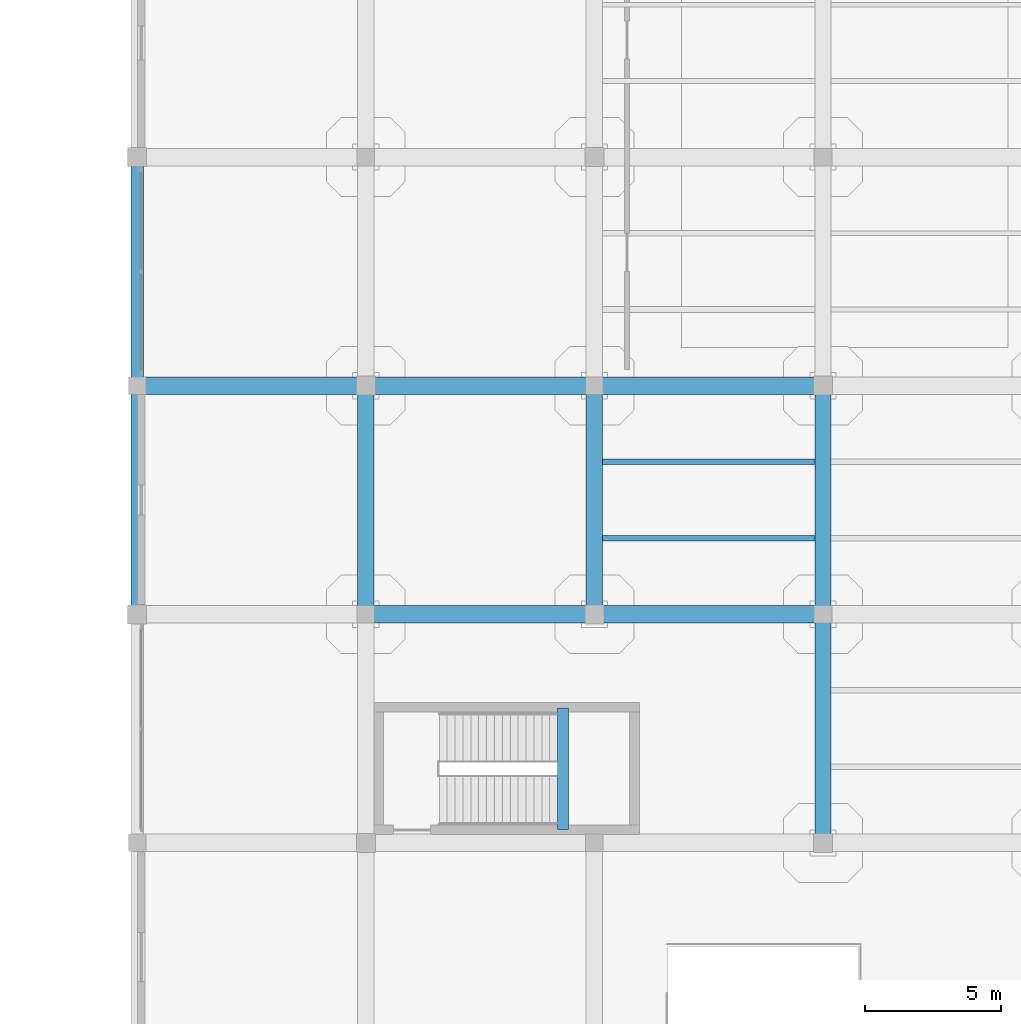
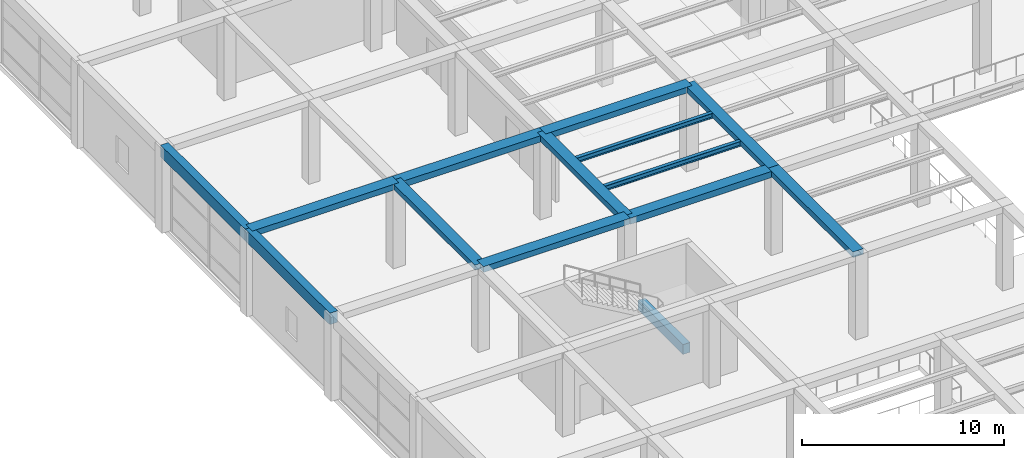
# One storey, part 18 of 65: 14 beams.
"""IFC4 building model written with IfcOpenShell, lengths in metres."""

from ifc_helpers import new_model, si_unit, direction, frame, origin, origin_2d, place, context, subcontext, project, spatial, rectangle, i_section, extrude, material, material_profile, profile_set, type_object, element, save


model = new_model("IFC4")

# Units and contexts
model_context = context("Model", 3, precision=1e-05, world=origin(), true_north=direction((0.0, 1.0)))
body_context = subcontext(model_context, "Body", "Model", "MODEL_VIEW")
ifc_project = project(units=[si_unit("LENGTHUNIT", "METRE"), si_unit("AREAUNIT", "SQUARE_METRE"), si_unit("VOLUMEUNIT", "CUBIC_METRE"), si_unit("PLANEANGLEUNIT", "RADIAN"), si_unit("MASSUNIT", "GRAM", prefix="KILO")], contexts=[model_context])

# Site, building, storey
site_placement = place(None, origin())
site = spatial("IfcSite", under=ifc_project, at=site_placement, CompositionType="ELEMENT")
building_placement = place(site_placement, origin())
building = spatial("IfcBuilding", under=site, at=building_placement, Name="Almacenes y Pasaje Nevantli", CompositionType="ELEMENT")
storey_placement = place(building_placement, frame((0.0, 0.0, 16.800048828125)))
storey = spatial("IfcBuildingStorey", under=building, at=storey_placement, Name="L04", CompositionType="ELEMENT", Elevation=16.800048828125)

# Beams
ifc_material_1 = material(Name="Concrete C35/45", Category="concrete")
ifc_material_profile_1 = material_profile(ifc_material_1, rectangle(XDim=0.39990234375, YDim=0.60009765625, at=origin_2d()), Name="RC-BM-400x600")
ifc_profile_set_1 = profile_set([ifc_material_profile_1], Name="Concrete C35/45")
beam_type_1 = type_object("IfcBeamType", Name="BM-RC-400x600", PredefinedType="SPANDREL", material=ifc_profile_set_1)
beam_1_placement = place(storey_placement, frame((15.64990234375, 59.300048828125, 2.199951171875), z_axis=(0.0, 1.0, 0.0), x_axis=(-1.0, 0.0, 0.0)))
element("IfcBeam", 1, at=beam_1_placement, inside=storey, type_object=beam_type_1, Name="L04 Stair ST-12 Half-Landing Support Beam", PredefinedType="SPANDREL", context=body_context, shape_type="SweptSolid", body=[
    extrude(rectangle(XDim=0.39990234375, YDim=0.60009765625, at=origin_2d()), origin(), (0.0, 0.0, 1.0), 4.449951171875),
])
ifc_material_2 = material(Name="Concrete C35/45", Category="concrete")
ifc_material_profile_2 = material_profile(ifc_material_2, rectangle(XDim=0.449951171875, YDim=0.699951171875, at=origin_2d()), Name="RC-BM-450x700")
ifc_profile_set_2 = profile_set([ifc_material_profile_2], Name="Concrete C35/45")
beam_type_2 = type_object("IfcBeamType", Name="BM-RC-450x700", PredefinedType="SPANDREL", material=ifc_profile_set_2)
beam_2_placement = place(storey_placement, frame((0.0, 67.199951171875, 4.75), z_axis=(0.0, 1.0, 0.0), x_axis=(-1.0, 0.0, 0.0)))
element("IfcBeam", 2, at=beam_2_placement, inside=storey, type_object=beam_type_2, Name="L04 North-South Reinforced Concrete Beam #2998", PredefinedType="SPANDREL", context=body_context, shape_type="SweptSolid", body=[
    extrude(rectangle(XDim=0.449951171875, YDim=0.699951171875, at=origin_2d()), origin(), (0.0, 0.0, 1.0), 8.400146484375),
])
beam_3_placement = place(storey_placement, frame((0.0, 75.60009765625, 4.75), z_axis=(0.0, 1.0, 0.0), x_axis=(-1.0, 0.0, 0.0)))
element("IfcBeam", 3, at=beam_3_placement, inside=storey, type_object=beam_type_2, Name="L04 North-South Reinforced Concrete Beam #2999", PredefinedType="SPANDREL", context=body_context, shape_type="SweptSolid", body=[
    extrude(rectangle(XDim=0.449951171875, YDim=0.699951171875, at=origin_2d()), origin(), (0.0, 0.0, 1.0), 8.39990234375),
])
ifc_material_3 = material(Name="Concrete C35/45", Category="concrete")
ifc_material_profile_3 = material_profile(ifc_material_3, rectangle(XDim=0.60009765625, YDim=0.320068359375, at=origin_2d()), Name="RC-BM-600x320")
ifc_profile_set_3 = profile_set([ifc_material_profile_3], Name="Concrete C35/45")
beam_type_3 = type_object("IfcBeamType", Name="BM-RC-600x320", PredefinedType="BEAM", material=ifc_profile_set_3)
for number, where, z_axis, x_axis, name in (
    (4, (8.39990234375, 67.199951171875, 4.93994140625), (0.0, 1.0, 0.0), (-1.0, 0.0, 0.0), "L04 North-South Reinforced Concrete Beam #3009"),
    (5, (25.199951171875, 67.199951171875, 4.93994140625), (0.0, 1.0, 0.0), (-1.0, 0.0, 0.0), "L04 North-South Reinforced Concrete Beam #3031"),
):
    element("IfcBeam", number, at=place(storey_placement, frame(where, z_axis=z_axis, x_axis=x_axis)), inside=storey, type_object=beam_type_3, Name=name, PredefinedType="BEAM", context=body_context, shape_type="SweptSolid", body=[
        extrude(rectangle(XDim=0.60009765625, YDim=0.320068359375, at=origin_2d()), origin(), (0.0, 0.0, 1.0), 8.400146484375),
    ])
ifc_material_4 = material(Name="Concrete C35/45", Category="concrete")
ifc_material_profile_4 = material_profile(ifc_material_4, rectangle(XDim=0.60009765625, YDim=0.340087890625, at=origin_2d()), Name="RC-BM-600x340")
ifc_profile_set_4 = profile_set([ifc_material_profile_4], Name="Concrete C35/45")
beam_type_4 = type_object("IfcBeamType", Name="BM-RC-600x340", PredefinedType="BEAM", material=ifc_profile_set_4)
beam_4_placement = place(storey_placement, frame((16.800048828125, 67.199951171875, 4.929931640625), z_axis=(0.0, 1.0, 0.0), x_axis=(-1.0, 0.0, 0.0)))
element("IfcBeam", 6, at=beam_4_placement, inside=storey, type_object=beam_type_4, Name="L04 North-South Reinforced Concrete Beam #3019", PredefinedType="BEAM", context=body_context, shape_type="SweptSolid", body=[
    extrude(rectangle(XDim=0.60009765625, YDim=0.340087890625, at=origin_2d()), origin(), (0.0, 0.0, 1.0), 8.400146484375),
])
beam_5_placement = place(storey_placement, frame((25.199951171875, 58.800048828125, 4.929931640625), z_axis=(0.0, 1.0, 0.0), x_axis=(-1.0, 0.0, 0.0)))
element("IfcBeam", 7, at=beam_5_placement, inside=storey, type_object=beam_type_4, Name="L04 North-South Reinforced Concrete Beam #3030", PredefinedType="BEAM", context=body_context, shape_type="SweptSolid", body=[
    extrude(rectangle(XDim=0.60009765625, YDim=0.340087890625, at=origin_2d()), origin(), (0.0, 0.0, 1.0), 8.39990234375),
])
ifc_material_5 = material(Name="Concrete C35/45", Category="concrete")
ifc_material_profile_5 = material_profile(ifc_material_5, rectangle(XDim=0.64990234375, YDim=0.35009765625, at=origin_2d()), Name="RC-BM-650x350")
ifc_profile_set_5 = profile_set([ifc_material_profile_5], Name="Concrete C35/45")
beam_type_5 = type_object("IfcBeamType", Name="BM-RC-650x350", PredefinedType="BEAM", material=ifc_profile_set_5)
beam_6_placement = place(storey_placement, frame((8.39990234375, 67.199951171875, 4.925048828125), z_axis=(1.0, 0.0, 0.0), x_axis=(0.0, 1.0, 0.0)))
element("IfcBeam", 8, at=beam_6_placement, inside=storey, type_object=beam_type_5, Name="L04 East-West Reinforced Concrete Beam #2875", PredefinedType="BEAM", context=body_context, shape_type="SweptSolid", body=[
    extrude(rectangle(XDim=0.64990234375, YDim=0.35009765625, at=origin_2d()), origin(), (0.0, 0.0, 1.0), 8.400146484375),
])
for number, where, z_axis, x_axis, name in (
    (9, (0.0, 75.60009765625, 4.925048828125), (1.0, 0.0, 0.0), (0.0, 1.0, 0.0), "L04 East-West Reinforced Concrete Beam #2888"),
    (10, (16.800048828125, 75.60009765625, 4.925048828125), (1.0, 0.0, 0.0), (0.0, 1.0, 0.0), "L04 East-West Reinforced Concrete Beam #2890"),
):
    element("IfcBeam", number, at=place(storey_placement, frame(where, z_axis=z_axis, x_axis=x_axis)), inside=storey, type_object=beam_type_5, Name=name, PredefinedType="BEAM", context=body_context, shape_type="SweptSolid", body=[
        extrude(rectangle(XDim=0.64990234375, YDim=0.35009765625, at=origin_2d()), origin(), (0.0, 0.0, 1.0), 8.39990234375),
    ])
ifc_material_6 = material(Name="Concrete C35/45", Category="concrete")
ifc_material_profile_6 = material_profile(ifc_material_6, rectangle(XDim=0.64990234375, YDim=0.3798828125, at=origin_2d()), Name="RC-BM-650x380")
ifc_profile_set_6 = profile_set([ifc_material_profile_6], Name="Concrete C35/45")
beam_type_6 = type_object("IfcBeamType", Name="BM-RC-650x380", PredefinedType="BEAM", material=ifc_profile_set_6)
beam_7_placement = place(storey_placement, frame((16.800048828125, 67.199951171875, 4.909912109375), z_axis=(1.0, 0.0, 0.0), x_axis=(0.0, 1.0, 0.0)))
element("IfcBeam", 11, at=beam_7_placement, inside=storey, type_object=beam_type_6, Name="L04 East-West Reinforced Concrete Beam #2876", PredefinedType="BEAM", context=body_context, shape_type="SweptSolid", body=[
    extrude(rectangle(XDim=0.64990234375, YDim=0.3798828125, at=origin_2d()), origin(), (0.0, 0.0, 1.0), 8.39990234375),
])
beam_8_placement = place(storey_placement, frame((8.39990234375, 75.60009765625, 4.909912109375), z_axis=(1.0, 0.0, 0.0), x_axis=(0.0, 1.0, 0.0)))
element("IfcBeam", 12, at=beam_8_placement, inside=storey, type_object=beam_type_6, Name="L04 East-West Reinforced Concrete Beam #2889", PredefinedType="BEAM", context=body_context, shape_type="SweptSolid", body=[
    extrude(rectangle(XDim=0.64990234375, YDim=0.3798828125, at=origin_2d()), origin(), (0.0, 0.0, 1.0), 8.400146484375),
])
ifc_material_7 = material(Name="Steel ASTM A992", Category="steel")
ifc_material_profile_7 = material_profile(ifc_material_7, i_section(OverallWidth=0.202880859375, OverallDepth=0.304931640625, WebThickness=0.007568359375, FlangeThickness=0.01318359375, at=origin_2d()), Name="IR 305x59.5")
ifc_profile_set_7 = profile_set([ifc_material_profile_7], Name="Steel ASTM A992")
beam_type_7 = type_object("IfcBeamType", Name="BM-STL-IR-305x59p5", PredefinedType="JOIST", material=ifc_profile_set_7)
for number, where, z_axis, x_axis, name in (
    (13, (17.10009765625, 70.0, 4.939453125), (1.0, 0.0, 0.0), (0.0, 1.0, 0.0), "L04 Secondary Steel Floor Joist #1025"),
    (14, (17.10009765625, 72.800048828125, 4.939453125), (1.0, 0.0, 0.0), (0.0, 1.0, 0.0), "L04 Secondary Steel Floor Joist #1026"),
):
    element("IfcBeam", number, at=place(storey_placement, frame(where, z_axis=z_axis, x_axis=x_axis)), inside=storey, type_object=beam_type_7, Name=name, PredefinedType="JOIST", context=body_context, shape_type="SweptSolid", body=[
        extrude(i_section(OverallWidth=0.202880859375, OverallDepth=0.304931640625, WebThickness=0.007568359375, FlangeThickness=0.01318359375, at=origin_2d()), origin(), (0.0, 0.0, 1.0), 7.7998046875),
    ])

save(model, "model.ifc")
